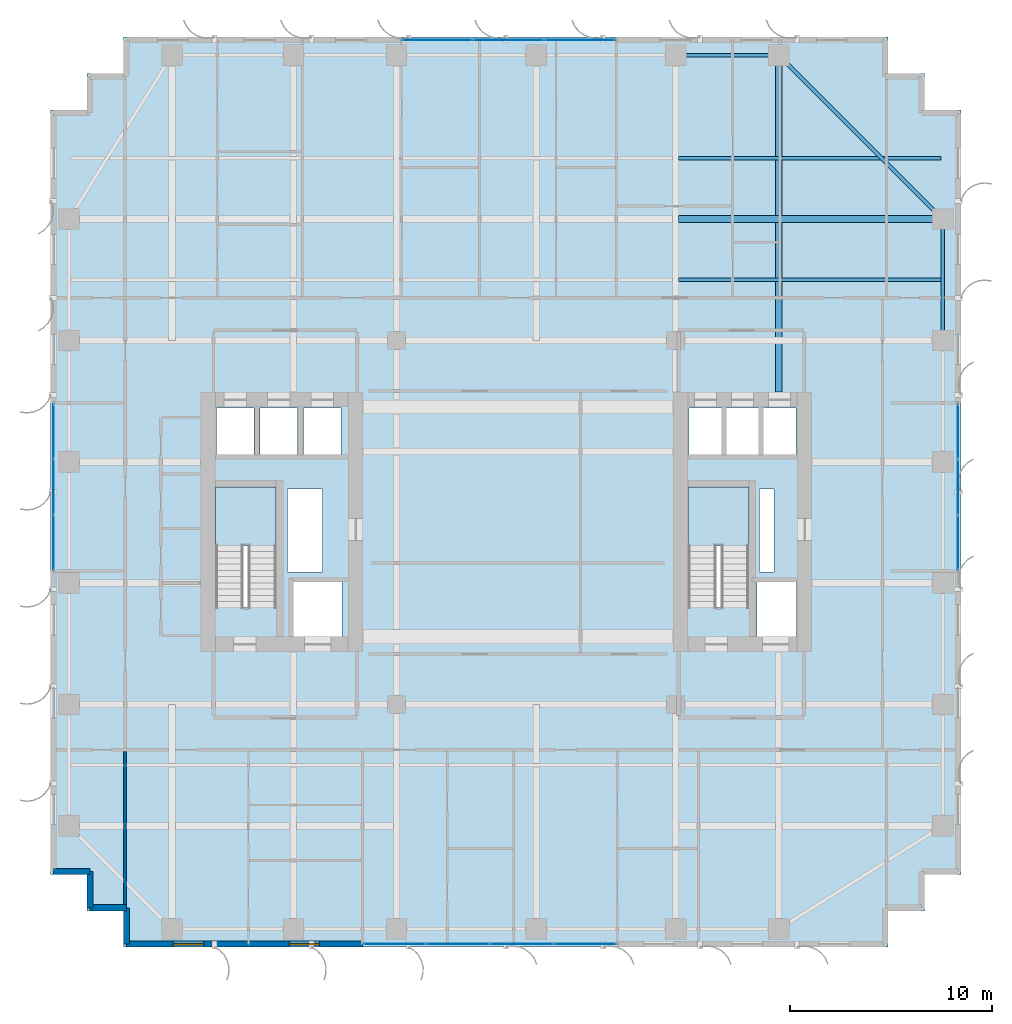
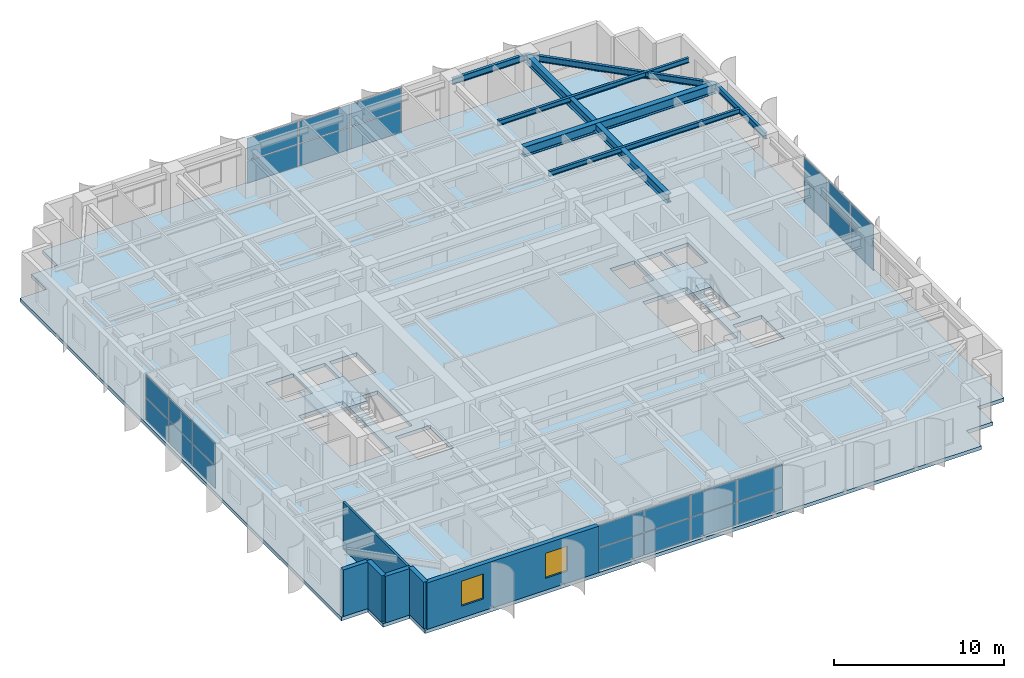
# One storey, part 11 of 19: 26 plates, 7 beams, 6 walls, 3 slabs, 2 windows, 2 openings, 6 elements without a shape of their own.
"""IFC4 building model written with IfcOpenShell, lengths in metres."""

import ifcopenshell
import ifcopenshell.guid

model = None  # the IFC model being written
_history = None  # IfcOwnerHistory: only IFC2X3 demands one
_inside = {}  # id of a spatial element -> (the spatial element, [elements in it])
_under = {}  # id of a project, library or spatial element -> (it, [spatial elements below it])
_declared = {}  # id of a project -> (the project, [libraries it declares])
_typed = {}  # id of a type object -> (the type object, [elements of that type])
_made_of = {}  # id of a material, layer set ... -> (it, [elements and type objects made of it])


def new_model(schema):
    """Start an empty IFC model of exactly this schema.

    Asked for "IFC4X3", IfcOpenShell would pick the latest addendum, in which some entities
    have other attributes; the version numbers below select the first issue.
    IFC2X3 requires an IfcOwnerHistory on every rooted entity: one is made here for all.
    """
    global model, _history
    if schema == "IFC4X3":
        model = ifcopenshell.file(schema_version=(4, 3, 0, 0))
    else:
        model = ifcopenshell.file(schema=schema)
    _inside.clear()
    _under.clear()
    _declared.clear()
    _typed.clear()
    _made_of.clear()
    _history = None
    if model.schema == "IFC2X3":
        org = make("IfcOrganization", Name="unknown")
        user = make(
            "IfcPersonAndOrganization",
            ThePerson=make("IfcPerson", FamilyName="unknown"),
            TheOrganization=org,
        )
        app = make(
            "IfcApplication",
            ApplicationDeveloper=org,
            Version="unknown",
            ApplicationFullName="unknown",
            ApplicationIdentifier="unknown",
        )
        _history = make(
            "IfcOwnerHistory",
            OwningUser=user,
            OwningApplication=app,
            ChangeAction="ADDED",
            CreationDate=0,
        )
    return model


def make(cls, **values):
    """One entity of the class cls with the attributes given. An attribute that is None is left unset."""
    return model.create_entity(
        cls, **{name: value for name, value in values.items() if value is not None}
    )


def rooted(cls, **values):
    """An entity with a GlobalId (a new one), such as an element, a storey or a relation."""
    return make(cls, GlobalId=ifcopenshell.guid.new(), OwnerHistory=_history, **values)


def si_unit(unit_type, name, prefix=None):
    """IfcSIUnit, for example si_unit("LENGTHUNIT", "METRE", prefix="MILLI")."""
    return make("IfcSIUnit", UnitType=unit_type, Prefix=prefix, Name=name)


def assignment(units):
    """IfcUnitAssignment: the units of a project."""
    return None if units is None else make("IfcUnitAssignment", Units=units)


def point(xyz):
    """IfcCartesianPoint."""
    return None if xyz is None else make("IfcCartesianPoint", Coordinates=xyz)


def direction(xyz):
    """IfcDirection."""
    return None if xyz is None else make("IfcDirection", DirectionRatios=xyz)


def frame(location, z_axis=None, x_axis=None):
    """IfcAxis2Placement3D, a coordinate frame: its origin and axes. An axis left out is left unset."""
    return make(
        "IfcAxis2Placement3D",
        Location=point(location),
        Axis=direction(z_axis),
        RefDirection=direction(x_axis),
    )


def frame_2d(location, x_axis=None):
    """IfcAxis2Placement2D, a coordinate frame in the plane: its origin and x axis."""
    return make(
        "IfcAxis2Placement2D", Location=point(location), RefDirection=direction(x_axis)
    )


def origin():
    """The frame at (0, 0, 0) with its axes left unset."""
    return frame((0.0, 0.0, 0.0))


def origin_2d():
    """The frame at (0, 0) in the plane with its x axis left unset."""
    return frame_2d((0.0, 0.0))


def place(relative_to, where):
    """IfcLocalPlacement: puts the frame where relative to a parent placement (None: the world)."""
    return make(
        "IfcLocalPlacement", PlacementRelTo=relative_to, RelativePlacement=where
    )


def context(
    kind, dimensions, precision=None, world=None, true_north=None, identifier=None
):
    """IfcGeometricRepresentationContext, for example the 3D "Model" context."""
    return make(
        "IfcGeometricRepresentationContext",
        ContextIdentifier=identifier,
        ContextType=kind,
        CoordinateSpaceDimension=dimensions,
        Precision=precision,
        WorldCoordinateSystem=world,
        TrueNorth=true_north,
    )


def subcontext(parent, identifier, kind, view, scale=None):
    """IfcGeometricRepresentationSubContext, for example "Body" below "Model"."""
    return make(
        "IfcGeometricRepresentationSubContext",
        ContextIdentifier=identifier,
        ContextType=kind,
        ParentContext=parent,
        TargetScale=scale,
        TargetView=view,
    )


def project(units=None, contexts=None):
    """IfcProject with its units and contexts."""
    return rooted(
        "IfcProject",
        Name="project",
        RepresentationContexts=contexts,
        UnitsInContext=assignment(units),
    )


def spatial(cls, under=None, at=None, **own):
    """A site, building, storey or space (cls), placed at a placement, below another one or the project."""
    s = rooted(cls, ObjectPlacement=at, **own)
    if under is not None:
        _under.setdefault(under.id(), (under, []))[1].append(s)
    return s


def polyline(points):
    """IfcPolyline through the points."""
    return make("IfcPolyline", Points=[point(p) for p in points])


def profile(cls, at=None, kind="AREA", **sizes):
    """A parametric profile (cls). Its sizes go by their IFC names, for example OverallWidth=200.0."""
    return make(cls, ProfileType=kind, Position=at, **sizes)


def rectangle(**sizes):
    """IfcRectangleProfileDef."""
    return profile("IfcRectangleProfileDef", **sizes)


def i_section(**sizes):
    """IfcIShapeProfileDef."""
    return profile("IfcIShapeProfileDef", **sizes)


def outline(outer, holes=None, kind="AREA"):
    """IfcArbitraryClosedProfileDef: a profile drawn as a closed curve; with holes, ...WithVoids."""
    if holes is None:
        return make("IfcArbitraryClosedProfileDef", ProfileType=kind, OuterCurve=outer)
    return make(
        "IfcArbitraryProfileDefWithVoids",
        ProfileType=kind,
        OuterCurve=outer,
        InnerCurves=holes,
    )


def extrude(swept, where, along, depth):
    """IfcExtrudedAreaSolid: the profile swept, set in the frame where, extruded along a direction by depth."""
    return make(
        "IfcExtrudedAreaSolid",
        SweptArea=swept,
        Position=where,
        ExtrudedDirection=direction(along),
        Depth=depth,
    )


def shape(context_of_items, identifier, shape_type, items):
    """IfcShapeRepresentation: the items that make up one representation, for example the "Body"."""
    return make(
        "IfcShapeRepresentation",
        ContextOfItems=context_of_items,
        RepresentationIdentifier=identifier,
        RepresentationType=shape_type,
        Items=items,
    )


def source(mapping_origin, context_of_items, identifier, shape_type, items):
    """IfcRepresentationMap: a shape defined once, which mapped items show again and again."""
    return make(
        "IfcRepresentationMap",
        MappingOrigin=mapping_origin,
        MappedRepresentation=shape(context_of_items, identifier, shape_type, items),
    )


def transform(
    local_origin,
    x_axis=None,
    y_axis=None,
    z_axis=None,
    scale=None,
    scale2=None,
    scale3=None,
    uniform=True,
):
    """IfcCartesianTransformationOperator3D, or its non-uniform kind. x_axis, y_axis, z_axis: its Axis1, 2, 3."""
    if uniform:
        return make(
            "IfcCartesianTransformationOperator3D",
            Axis1=direction(x_axis),
            Axis2=direction(y_axis),
            LocalOrigin=point(local_origin),
            Scale=scale,
            Axis3=direction(z_axis),
        )
    return make(
        "IfcCartesianTransformationOperator3DnonUniform",
        Axis1=direction(x_axis),
        Axis2=direction(y_axis),
        LocalOrigin=point(local_origin),
        Scale=scale,
        Axis3=direction(z_axis),
        Scale2=scale2,
        Scale3=scale3,
    )


def mapped(mapping_source, mapping_target):
    """IfcMappedItem: shows the shape of a source again, moved by a transform."""
    return make(
        "IfcMappedItem", MappingSource=mapping_source, MappingTarget=mapping_target
    )


def material(Name=None, Category=None):
    """IfcMaterial."""
    return make("IfcMaterial", Name=Name, Category=Category)


def layer(
    of_material, thickness, ventilated=None, Name=None, Category=None, Priority=None
):
    """IfcMaterialLayer: one layer of a wall or slab, of a material (None: an air gap)."""
    return make(
        "IfcMaterialLayer",
        Material=of_material,
        LayerThickness=thickness,
        IsVentilated=ventilated,
        Name=Name,
        Category=Category,
        Priority=Priority,
    )


def layer_set(layers, Name=None):
    """IfcMaterialLayerSet."""
    return make("IfcMaterialLayerSet", MaterialLayers=layers, LayerSetName=Name)


def material_profile(
    of_material, cross_section, Name=None, Category=None, Priority=None
):
    """IfcMaterialProfile: a cross section and its material."""
    return make(
        "IfcMaterialProfile",
        Name=Name,
        Material=of_material,
        Profile=cross_section,
        Priority=Priority,
        Category=Category,
    )


def profile_set(profiles, Name=None, composite=None):
    """IfcMaterialProfileSet."""
    return make(
        "IfcMaterialProfileSet",
        Name=Name,
        MaterialProfiles=profiles,
        CompositeProfile=composite,
    )


def made_of(thing, what):
    """Note that an element or type object is made of a material, layer set ...; save() writes the relation."""
    if what is not None:
        _made_of.setdefault(what.id(), (what, []))[1].append(thing)
    return thing


def type_object(cls, material=None, **own):
    """A type object (cls), such as IfcWallType, which elements share."""
    return made_of(rooted(cls, **own), material)


def element(
    cls,
    number,
    at=None,
    inside=None,
    cuts=None,
    type_object=None,
    material=None,
    context=None,
    identifier="Body",
    shape_type=None,
    held_by="IfcProductDefinitionShape",
    body=None,
    shapes=None,
    **own,
):
    """One element of the class cls, such as IfcWall. Its Tag is "e" and its number.

    at: its placement. inside: the storey or other place that contains it. cuts: it is an
    opening in that element (IfcRelVoidsElement). A single representation is given by context,
    identifier, shape_type and body (its items); several are given by shapes. held_by: the class
    of the entity that holds the representations. save() writes the other relations.
    """
    e = rooted(cls, Tag="e%d" % number, ObjectPlacement=at, **own)
    if body is not None:
        shapes = [shape(context, identifier, shape_type, body)]
    if shapes is not None:
        e.Representation = make(held_by, Representations=shapes)
    if inside is not None:
        _inside.setdefault(inside.id(), (inside, []))[1].append(e)
    if cuts is not None:
        rooted(
            "IfcRelVoidsElement", RelatingBuildingElement=cuts, RelatedOpeningElement=e
        )
    if type_object is not None:
        _typed.setdefault(type_object.id(), (type_object, []))[1].append(e)
    return made_of(e, material)


def fill(opening, filler):
    """IfcRelFillsElement: the door or window that sits in an opening."""
    return rooted(
        "IfcRelFillsElement",
        RelatingOpeningElement=opening,
        RelatedBuildingElement=filler,
    )


def aggregate(whole, parts):
    """IfcRelAggregates: a whole, such as a stair, and the parts it consists of."""
    return rooted("IfcRelAggregates", RelatingObject=whole, RelatedObjects=parts)


def save(model, path):
    """Write the relations noted so far, then the file.

    IfcRelAggregates (storeys below a building ...), IfcRelContainedInSpatialStructure (elements
    in a storey), IfcRelDefinesByType, IfcRelAssociatesMaterial and IfcRelDeclares: one each for
    every whole, place, type object, material and project.
    """
    for whole, parts in _under.values():
        aggregate(whole, parts)
    for where, things in _inside.values():
        rooted(
            "IfcRelContainedInSpatialStructure",
            RelatedElements=things,
            RelatingStructure=where,
        )
    for kind, things in _typed.values():
        rooted("IfcRelDefinesByType", RelatedObjects=things, RelatingType=kind)
    for what, things in _made_of.values():
        rooted("IfcRelAssociatesMaterial", RelatedObjects=things, RelatingMaterial=what)
    for by, libraries in _declared.values():
        rooted("IfcRelDeclares", RelatingContext=by, RelatedDefinitions=libraries)
    model.write(path)


model = new_model("IFC4")

# Units and contexts
model_context = context("Model", 3, precision=1e-05, world=origin(), true_north=direction((0.0, 1.0)))
body_context = subcontext(model_context, "Body", "Model", "MODEL_VIEW")
ifc_project = project(units=[si_unit("LENGTHUNIT", "METRE"), si_unit("AREAUNIT", "SQUARE_METRE"), si_unit("VOLUMEUNIT", "CUBIC_METRE"), si_unit("PLANEANGLEUNIT", "RADIAN"), si_unit("MASSUNIT", "GRAM", prefix="KILO")], contexts=[model_context])

# Site, building, storey
site_placement = place(None, origin())
site = spatial("IfcSite", under=ifc_project, at=site_placement, CompositionType="ELEMENT")
building_placement = place(site_placement, origin())
building = spatial("IfcBuilding", under=site, at=building_placement, Name="Khoralis Quay Care Tower", CompositionType="ELEMENT")
storey_placement = place(building_placement, frame((0.0, 0.0, 90.89990234375)))
storey = spatial("IfcBuildingStorey", under=building, at=storey_placement, Name="L23", CompositionType="ELEMENT", Elevation=90.89990234375)

# Beams
ifc_material_1 = material(Name="Steel S355", Category="steel")
ifc_material_profile_1 = material_profile(ifc_material_1, i_section(OverallWidth=0.18994140625, OverallDepth=0.449951171875, WebThickness=0.009521484375, FlangeThickness=0.0146484375, FilletRadius=0.02099609375, at=origin_2d()), Name="Steel S355")
ifc_profile_set_1 = profile_set([ifc_material_profile_1], Name="Steel S355")
beam_type_1 = type_object("IfcBeamType", Name="BM-IPE450", PredefinedType="SPANDREL", material=ifc_profile_set_1)
shared_shape_1 = source(origin(), body_context, "Body", "SweptSolid", [
    extrude(i_section(OverallWidth=0.18994140625, OverallDepth=0.449951171875, WebThickness=0.009521484375, FlangeThickness=0.0146484375, FilletRadius=0.02099609375, at=origin_2d()), origin(), (0.0, 0.0, 1.0), 6.0),
])
beam_1_placement = place(storey_placement, frame((44.10009765625, 30.0, 3.114990234375), z_axis=(0.0, 1.0, 0.0), x_axis=(-1.0, 0.0, 0.0)))
element("IfcBeam", 1, at=beam_1_placement, inside=storey, type_object=beam_type_1, Name="BM-TSP-L23-20", PredefinedType="SPANDREL", context=body_context, shape_type="MappedRepresentation", body=[
    mapped(shared_shape_1, transform((0.0, 0.0, 0.0), scale=1.0)),
])
shared_shape_2 = source(origin(), body_context, "Body", "SweptSolid", [
    extrude(i_section(OverallWidth=0.18994140625, OverallDepth=0.449951171875, WebThickness=0.009521484375, FlangeThickness=0.0146484375, FilletRadius=0.02099609375, at=origin_2d()), origin(), (0.0, 0.0, 1.0), 5.10009765625),
])
beam_2_placement = place(storey_placement, frame((30.89990234375, 44.10009765625, 3.114990234375), z_axis=(1.0, 0.0, 0.0), x_axis=(0.0, 1.0, 0.0)))
element("IfcBeam", 2, at=beam_2_placement, inside=storey, type_object=beam_type_1, Name="BM-TSP-L23-10", PredefinedType="SPANDREL", context=body_context, shape_type="MappedRepresentation", body=[
    mapped(shared_shape_2, transform((0.0, 0.0, 0.0), scale=1.0)),
])
shared_shape_3 = source(origin(), body_context, "Body", "SweptSolid", [
    extrude(i_section(OverallWidth=0.18994140625, OverallDepth=0.449951171875, WebThickness=0.009521484375, FlangeThickness=0.0146484375, FilletRadius=0.02099609375, at=origin_2d()), origin(), (0.0, 0.0, 1.0), 11.455322265625),
])
beam_3_placement = place(storey_placement, frame((36.0, 44.10009765625, 3.114990234375), z_axis=(0.707106781187, -0.707106781187, 0.0), x_axis=(0.707106781187, 0.707106781187, 0.0)))
element("IfcBeam", 3, at=beam_3_placement, inside=storey, type_object=beam_type_1, Name="BM-TCR-L23-24", PredefinedType="SPANDREL", context=body_context, shape_type="MappedRepresentation", body=[
    mapped(shared_shape_3, transform((0.0, 0.0, 0.0), scale=1.0)),
])
ifc_material_profile_2 = material_profile(ifc_material_1, i_section(OverallWidth=0.35498046875, OverallDepth=0.695068359375, WebThickness=0.015380859375, FlangeThickness=0.02490234375, FilletRadius=0.02001953125, at=origin_2d()), Name="Steel S355")
ifc_profile_set_2 = profile_set([ifc_material_profile_2], Name="Steel S355")
beam_type_2 = type_object("IfcBeamType", Name="BM-W690X217", PredefinedType="BEAM", material=ifc_profile_set_2)
shared_shape_4 = source(origin(), body_context, "Body", "SweptSolid", [
    extrude(i_section(OverallWidth=0.35498046875, OverallDepth=0.695068359375, WebThickness=0.015380859375, FlangeThickness=0.02490234375, FilletRadius=0.02001953125, at=origin_2d()), origin(), (0.0, 0.0, 1.0), 13.049560546875),
])
beam_4_placement = place(storey_placement, frame((31.050537109375, 36.0, 2.99267578125), z_axis=(1.0, 0.0, 0.0), x_axis=(0.0, 1.0, 0.0)))
element("IfcBeam", 4, at=beam_4_placement, inside=storey, type_object=beam_type_2, Name="BM-TGXE-L23-360", PredefinedType="BEAM", context=body_context, shape_type="MappedRepresentation", body=[
    mapped(shared_shape_4, transform((0.0, 0.0, 0.0), scale=1.0)),
])
ifc_material_profile_3 = material_profile(ifc_material_1, i_section(OverallWidth=0.324951171875, OverallDepth=0.615966796875, WebThickness=0.013916015625, FlangeThickness=0.021484375, FilletRadius=0.01806640625, at=origin_2d()), Name="Steel S355")
ifc_profile_set_3 = profile_set([ifc_material_profile_3], Name="Steel S355")
beam_type_3 = type_object("IfcBeamType", Name="BM-W610X174", PredefinedType="BEAM", material=ifc_profile_set_3)
shared_shape_5 = source(origin(), body_context, "Body", "SweptSolid", [
    extrude(i_section(OverallWidth=0.324951171875, OverallDepth=0.615966796875, WebThickness=0.013916015625, FlangeThickness=0.021484375, FilletRadius=0.01806640625, at=origin_2d()), origin(), (0.0, 0.0, 1.0), 16.652099609375),
])
beam_5_placement = place(storey_placement, frame((36.0, 27.447998046875, 3.031982421875), z_axis=(0.0, 1.0, 0.0), x_axis=(-1.0, 0.0, 0.0)))
element("IfcBeam", 5, at=beam_5_placement, inside=storey, type_object=beam_type_3, Name="BM-TGYN-L23-360", PredefinedType="BEAM", context=body_context, shape_type="MappedRepresentation", body=[
    mapped(shared_shape_5, transform((0.0, 0.0, 0.0), scale=1.0)),
])
ifc_material_profile_4 = material_profile(ifc_material_1, i_section(OverallWidth=0.1708984375, OverallDepth=0.35498046875, WebThickness=0.007080078125, FlangeThickness=0.01171875, FilletRadius=0.012939453125, at=origin_2d()), Name="Steel S355")
ifc_profile_set_4 = profile_set([ifc_material_profile_4], Name="Steel S355")
beam_type_4 = type_object("IfcBeamType", Name="BM-W360X51", PredefinedType="JOIST", material=ifc_profile_set_4)
shared_shape_6 = source(origin(), body_context, "Body", "SweptSolid", [
    extrude(i_section(OverallWidth=0.1708984375, OverallDepth=0.35498046875, WebThickness=0.007080078125, FlangeThickness=0.01171875, FilletRadius=0.012939453125, at=origin_2d()), origin(), (0.0, 0.0, 1.0), 12.968505859375),
])
for number, where, z_axis, x_axis, name in (
    (6, (31.050537109375, 33.0, 3.16259765625), (1.0, 0.0, 0.0), (0.0, 1.0, 0.0), "BM-TJS-L23-29"),
    (7, (31.050537109375, 39.0, 3.16259765625), (1.0, 0.0, 0.0), (0.0, 1.0, 0.0), "BM-TJS-L23-32"),
):
    element("IfcBeam", number, at=place(storey_placement, frame(where, z_axis=z_axis, x_axis=x_axis)), inside=storey, type_object=beam_type_4, Name=name, PredefinedType="JOIST", context=body_context, shape_type="MappedRepresentation", body=[
        mapped(shared_shape_6, transform((0.0, 0.0, 0.0), scale=1.0)),
    ])

# Stair, slab
ifc_material_2 = material(Name="Precast concrete C45/55", Category="concrete")
stair_type = type_object("IfcStairType", Name="ST-TWR-DOGLEG-1400", PredefinedType="HALF_TURN_STAIR", material=ifc_material_2)
stair_1_placement = place(storey_placement, origin())
stair_1 = element("IfcStair", 8, at=stair_1_placement, inside=storey, type_object=stair_type, Name="L23 West Core Exit Stair ST-T1", PredefinedType="HALF_TURN_STAIR")
ifc_layer_1 = layer(ifc_material_2, 0.199951171875)
ifc_layer_set_1 = layer_set([ifc_layer_1], Name="Precast concrete C45/55")
slab_type_1 = type_object("IfcSlabType", Name="SLB-LANDING-200", PredefinedType="LANDING", material=ifc_layer_set_1)
slab_1_placement = place(storey_placement, frame((0.0, 0.0, 1.60009765625)))
slab_1 = element("IfcSlab", 9, at=slab_1_placement, type_object=slab_type_1, Name="ST-T1 landing 1", PredefinedType="LANDING", context=body_context, shape_type="SweptSolid", body=[
    extrude(outline(polyline([(11.14990234375, 19.840087890625), (11.14990234375, 22.75), (8.14990234375, 22.75), (8.14990234375, 19.840087890625), (11.14990234375, 19.840087890625)])), origin(), (0.0, 0.0, 1.0), 0.199951171875),
])
aggregate(stair_1, [slab_1])

stair_2_placement = place(storey_placement, origin())
stair_2 = element("IfcStair", 10, at=stair_2_placement, inside=storey, type_object=stair_type, Name="L23 East Core Exit Stair ST-T2", PredefinedType="HALF_TURN_STAIR")
slab_2_placement = place(storey_placement, frame((0.0, 0.0, 1.60009765625)))
slab_2 = element("IfcSlab", 11, at=slab_2_placement, type_object=slab_type_1, Name="ST-T2 landing 1", PredefinedType="LANDING", context=body_context, shape_type="SweptSolid", body=[
    extrude(outline(polyline([(34.52001953125, 19.840087890625), (34.52001953125, 22.75), (31.52001953125, 22.75), (31.52001953125, 19.840087890625), (34.52001953125, 19.840087890625)])), origin(), (0.0, 0.0, 1.0), 0.199951171875),
])
aggregate(stair_2, [slab_2])

# Slab
ifc_material_3 = material(Name="Concrete C40/50", Category="concrete")
ifc_layer_2 = layer(ifc_material_3, 0.260009765625)
ifc_layer_set_2 = layer_set([ifc_layer_2], Name="Concrete C40/50")
slab_type_2 = type_object("IfcSlabType", Name="SLB-TWR-260", PredefinedType="FLOOR", material=ifc_layer_set_2)
slab_3_placement = place(storey_placement, frame((0.0, 0.0, -0.260009765625)))
element("IfcSlab", 12, at=slab_3_placement, inside=storey, type_object=slab_type_2, Name="Tower Floor Slab L23", PredefinedType="FLOOR", context=body_context, shape_type="SweptSolid", body=[
    extrude(outline(polyline([(3.60009765625, 0.0), (41.39990234375, 0.0), (41.39990234375, 1.800048828125), (43.199951171875, 1.800048828125), (43.199951171875, 3.60009765625), (45.0, 3.60009765625), (45.0, 41.39990234375), (43.199951171875, 41.39990234375), (43.199951171875, 43.199951171875), (41.39990234375, 43.199951171875), (41.39990234375, 45.0), (3.60009765625, 45.0), (3.60009765625, 43.199951171875), (1.800048828125, 43.199951171875), (1.800048828125, 41.39990234375), (0.0, 41.39990234375), (0.0, 3.60009765625), (1.800048828125, 3.60009765625), (1.800048828125, 1.800048828125), (3.60009765625, 1.800048828125), (3.60009765625, 0.0)]), holes=[polyline([(11.14990234375, 16.800048828125), (11.14990234375, 22.75), (8.14990234375, 22.75), (8.14990234375, 16.800048828125), (11.14990234375, 16.800048828125)]), polyline([(34.52001953125, 16.800048828125), (34.52001953125, 22.75), (31.52001953125, 22.75), (31.52001953125, 16.800048828125), (34.52001953125, 16.800048828125)]), polyline([(12.0, 15.35009765625), (14.39990234375, 15.35009765625), (14.39990234375, 18.050048828125), (12.0, 18.050048828125), (12.0, 15.35009765625)]), polyline([(34.919921875, 15.35009765625), (36.8798828125, 15.35009765625), (36.8798828125, 18.050048828125), (34.919921875, 18.050048828125), (34.919921875, 15.35009765625)]), polyline([(8.199951171875, 24.35009765625), (10.050048828125, 24.35009765625), (10.050048828125, 26.64990234375), (8.199951171875, 26.64990234375), (8.199951171875, 24.35009765625)]), polyline([(31.550048828125, 24.35009765625), (33.199951171875, 24.35009765625), (33.199951171875, 26.64990234375), (31.550048828125, 26.64990234375), (31.550048828125, 24.35009765625)]), polyline([(10.35009765625, 24.35009765625), (12.199951171875, 24.35009765625), (12.199951171875, 26.64990234375), (10.35009765625, 26.64990234375), (10.35009765625, 24.35009765625)]), polyline([(33.3798828125, 24.35009765625), (35.030029296875, 24.35009765625), (35.030029296875, 26.64990234375), (33.3798828125, 26.64990234375), (33.3798828125, 24.35009765625)]), polyline([(12.5, 24.35009765625), (14.35009765625, 24.35009765625), (14.35009765625, 26.64990234375), (12.5, 26.64990234375), (12.5, 24.35009765625)]), polyline([(35.199951171875, 24.35009765625), (36.85009765625, 24.35009765625), (36.85009765625, 26.64990234375), (35.199951171875, 26.64990234375), (35.199951171875, 24.35009765625)]), polyline([(11.719970703125, 18.550048828125), (13.449951171875, 18.550048828125), (13.449951171875, 22.64990234375), (11.719970703125, 22.64990234375), (11.719970703125, 18.550048828125)]), polyline([(35.050048828125, 18.550048828125), (35.75, 18.550048828125), (35.75, 22.64990234375), (35.050048828125, 22.64990234375), (35.050048828125, 18.550048828125)])]), origin(), (0.0, 0.0, 1.0), 0.260009765625),
])

# Curtain wall, plates
ifc_material_4 = material(Name="Pale anodised aluminium", Category="aluminium")
ifc_layer_3 = layer(ifc_material_4, 0.169921875)
ifc_layer_set_3 = layer_set([ifc_layer_3], Name="Pale anodised aluminium")
curtain_wall_type = type_object("IfcCurtainWallType", Name="CW-SYS-Z2", PredefinedType="NOTDEFINED", material=ifc_layer_set_3)
curtain_wall_1_placement = place(storey_placement, origin())
curtain_wall_1 = element("IfcCurtainWall", 13, at=curtain_wall_1_placement, inside=storey, type_object=curtain_wall_type, Name="L23 Unitised Curtain Wall CW-L23-P1-E5", PredefinedType="NOTDEFINED")
ifc_material_5 = material(Name="Low-E solar-control double glazing", Category="glass")
ifc_layer_4 = layer(ifc_material_5, 0.031982421875)
ifc_layer_set_4 = layer_set([ifc_layer_4], Name="Low-E solar-control double glazing")
plate_type = type_object("IfcPlateType", Name="PNL-VIS-32", PredefinedType="CURTAIN_PANEL", material=ifc_layer_set_4)
shared_shape_7 = source(origin(), body_context, "Body", "SweptSolid", [
    extrude(rectangle(XDim=2.6767578125, YDim=0.028076171875, at=origin_2d()), origin(), (0.0, 0.0, 1.0), 1.580078125),
])
plate_1_placement = place(storey_placement, frame((44.85009765625, 19.998291015625, 0.06005859375), z_axis=(0.0, 0.0, 1.0), x_axis=(0.0, 1.0, 0.0)))
plate_1 = element("IfcPlate", 14, at=plate_1_placement, type_object=plate_type, Name="CW2 panel 1.1", PredefinedType="CURTAIN_PANEL", context=body_context, shape_type="MappedRepresentation", body=[
    mapped(shared_shape_7, transform((0.0, 0.0, 0.0), scale=1.0)),
])
plate_2_placement = place(storey_placement, frame((44.85009765625, 19.998291015625, 1.699951171875), z_axis=(0.0, 0.0, 1.0), x_axis=(0.0, 1.0, 0.0)))
plate_2 = element("IfcPlate", 15, at=plate_2_placement, type_object=plate_type, Name="CW2 panel 1.2", PredefinedType="CURTAIN_PANEL", context=body_context, shape_type="MappedRepresentation", body=[
    mapped(shared_shape_7, transform((0.0, 0.0, 0.0), scale=1.0)),
])
plate_3_placement = place(storey_placement, frame((44.85009765625, 25.501708984375, 0.06005859375), z_axis=(0.0, 0.0, 1.0), x_axis=(0.0, 1.0, 0.0)))
plate_3 = element("IfcPlate", 16, at=plate_3_placement, type_object=plate_type, Name="CW2 panel 3.1", PredefinedType="CURTAIN_PANEL", context=body_context, shape_type="MappedRepresentation", body=[
    mapped(shared_shape_7, transform((0.0, 0.0, 0.0), scale=1.0)),
])
plate_4_placement = place(storey_placement, frame((44.85009765625, 25.501708984375, 1.699951171875), z_axis=(0.0, 0.0, 1.0), x_axis=(0.0, 1.0, 0.0)))
plate_4 = element("IfcPlate", 17, at=plate_4_placement, type_object=plate_type, Name="CW2 panel 3.2", PredefinedType="CURTAIN_PANEL", context=body_context, shape_type="MappedRepresentation", body=[
    mapped(shared_shape_7, transform((0.0, 0.0, 0.0), scale=1.0)),
])

curtain_wall_2_placement = place(storey_placement, origin())
curtain_wall_2 = element("IfcCurtainWall", 18, at=curtain_wall_2_placement, inside=storey, type_object=curtain_wall_type, Name="L23 Unitised Curtain Wall CW-L23-P1-E15", PredefinedType="NOTDEFINED")
plate_5_placement = place(storey_placement, frame((0.14990234375, 25.501708984375, 0.06005859375), z_axis=(0.0, 0.0, 1.0), x_axis=(0.0, -1.0, 0.0)))
plate_5 = element("IfcPlate", 19, at=plate_5_placement, type_object=plate_type, Name="CW2 panel 1.1", PredefinedType="CURTAIN_PANEL", context=body_context, shape_type="MappedRepresentation", body=[
    mapped(shared_shape_7, transform((0.0, 0.0, 0.0), scale=1.0)),
])
plate_6_placement = place(storey_placement, frame((0.14990234375, 25.501708984375, 1.699951171875), z_axis=(0.0, 0.0, 1.0), x_axis=(0.0, -1.0, 0.0)))
plate_6 = element("IfcPlate", 20, at=plate_6_placement, type_object=plate_type, Name="CW2 panel 1.2", PredefinedType="CURTAIN_PANEL", context=body_context, shape_type="MappedRepresentation", body=[
    mapped(shared_shape_7, transform((0.0, 0.0, 0.0), scale=1.0)),
])
plate_7_placement = place(storey_placement, frame((0.14990234375, 19.998291015625, 0.06005859375), z_axis=(0.0, 0.0, 1.0), x_axis=(0.0, -1.0, 0.0)))
plate_7 = element("IfcPlate", 21, at=plate_7_placement, type_object=plate_type, Name="CW2 panel 3.1", PredefinedType="CURTAIN_PANEL", context=body_context, shape_type="MappedRepresentation", body=[
    mapped(shared_shape_7, transform((0.0, 0.0, 0.0), scale=1.0)),
])
plate_8_placement = place(storey_placement, frame((0.14990234375, 19.998291015625, 1.699951171875), z_axis=(0.0, 0.0, 1.0), x_axis=(0.0, -1.0, 0.0)))
plate_8 = element("IfcPlate", 22, at=plate_8_placement, type_object=plate_type, Name="CW2 panel 3.2", PredefinedType="CURTAIN_PANEL", context=body_context, shape_type="MappedRepresentation", body=[
    mapped(shared_shape_7, transform((0.0, 0.0, 0.0), scale=1.0)),
])

# Plate
shared_shape_8 = source(origin(), body_context, "Body", "SweptSolid", [
    extrude(rectangle(XDim=2.706787109375, YDim=0.028076171875, at=origin_2d()), origin(), (0.0, 0.0, 1.0), 1.580078125),
])
plate_9_placement = place(storey_placement, frame((44.85009765625, 22.75, 0.06005859375), z_axis=(0.0, 0.0, 1.0), x_axis=(0.0, 1.0, 0.0)))
plate_9 = element("IfcPlate", 23, at=plate_9_placement, type_object=plate_type, Name="CW2 panel 2.1", PredefinedType="CURTAIN_PANEL", context=body_context, shape_type="MappedRepresentation", body=[
    mapped(shared_shape_8, transform((0.0, 0.0, 0.0), scale=1.0)),
])

plate_10_placement = place(storey_placement, frame((44.85009765625, 22.75, 1.699951171875), z_axis=(0.0, 0.0, 1.0), x_axis=(0.0, 1.0, 0.0)))
plate_10 = element("IfcPlate", 24, at=plate_10_placement, type_object=plate_type, Name="CW2 panel 2.2", PredefinedType="CURTAIN_PANEL", context=body_context, shape_type="MappedRepresentation", body=[
    mapped(shared_shape_8, transform((0.0, 0.0, 0.0), scale=1.0)),
])

aggregate(curtain_wall_1, [plate_1, plate_2, plate_9, plate_10, plate_3, plate_4])

plate_11_placement = place(storey_placement, frame((0.14990234375, 22.75, 0.06005859375), z_axis=(0.0, 0.0, 1.0), x_axis=(0.0, -1.0, 0.0)))
plate_11 = element("IfcPlate", 25, at=plate_11_placement, type_object=plate_type, Name="CW2 panel 2.1", PredefinedType="CURTAIN_PANEL", context=body_context, shape_type="MappedRepresentation", body=[
    mapped(shared_shape_8, transform((0.0, 0.0, 0.0), scale=1.0)),
])

plate_12_placement = place(storey_placement, frame((0.14990234375, 22.75, 1.699951171875), z_axis=(0.0, 0.0, 1.0), x_axis=(0.0, -1.0, 0.0)))
plate_12 = element("IfcPlate", 26, at=plate_12_placement, type_object=plate_type, Name="CW2 panel 2.2", PredefinedType="CURTAIN_PANEL", context=body_context, shape_type="MappedRepresentation", body=[
    mapped(shared_shape_8, transform((0.0, 0.0, 0.0), scale=1.0)),
])

aggregate(curtain_wall_2, [plate_5, plate_6, plate_11, plate_12, plate_7, plate_8])

# Curtain wall, plates
curtain_wall_3_placement = place(storey_placement, origin())
curtain_wall_3 = element("IfcCurtainWall", 27, at=curtain_wall_3_placement, inside=storey, type_object=curtain_wall_type, Name="L23 Unitised Curtain Wall CW-L23-P1-E0", PredefinedType="NOTDEFINED")
shared_shape_9 = source(origin(), body_context, "Body", "SweptSolid", [
    extrude(rectangle(XDim=3.058349609375, YDim=0.028076171875, at=origin_2d()), origin(), (0.0, 0.0, 1.0), 1.580078125),
])
plate_13_placement = place(storey_placement, frame((16.9990234375, 0.14990234375, 0.06005859375), z_axis=(0.0, 0.0, 1.0), x_axis=(1.0, 0.0, 0.0)))
plate_13 = element("IfcPlate", 28, at=plate_13_placement, type_object=plate_type, Name="CW2 panel 1.1", PredefinedType="CURTAIN_PANEL", context=body_context, shape_type="MappedRepresentation", body=[
    mapped(shared_shape_9, transform((0.0, 0.0, 0.0), scale=1.0)),
])
plate_14_placement = place(storey_placement, frame((16.9990234375, 0.14990234375, 1.699951171875), z_axis=(0.0, 0.0, 1.0), x_axis=(1.0, 0.0, 0.0)))
plate_14 = element("IfcPlate", 29, at=plate_14_placement, type_object=plate_type, Name="CW2 panel 1.2", PredefinedType="CURTAIN_PANEL", context=body_context, shape_type="MappedRepresentation", body=[
    mapped(shared_shape_9, transform((0.0, 0.0, 0.0), scale=1.0)),
])
plate_15_placement = place(storey_placement, frame((26.413818359375, 0.14990234375, 0.06005859375), z_axis=(0.0, 0.0, 1.0), x_axis=(1.0, 0.0, 0.0)))
plate_15 = element("IfcPlate", 30, at=plate_15_placement, type_object=plate_type, Name="CW2 panel 4.1", PredefinedType="CURTAIN_PANEL", context=body_context, shape_type="MappedRepresentation", body=[
    mapped(shared_shape_9, transform((0.0, 0.0, 0.0), scale=1.0)),
])
plate_16_placement = place(storey_placement, frame((26.413818359375, 0.14990234375, 1.699951171875), z_axis=(0.0, 0.0, 1.0), x_axis=(1.0, 0.0, 0.0)))
plate_16 = element("IfcPlate", 31, at=plate_16_placement, type_object=plate_type, Name="CW2 panel 4.2", PredefinedType="CURTAIN_PANEL", context=body_context, shape_type="MappedRepresentation", body=[
    mapped(shared_shape_9, transform((0.0, 0.0, 0.0), scale=1.0)),
])
shared_shape_10 = source(origin(), body_context, "Body", "SweptSolid", [
    extrude(rectangle(XDim=3.088134765625, YDim=0.028076171875, at=origin_2d()), origin(), (0.0, 0.0, 1.0), 1.580078125),
])
plate_17_placement = place(storey_placement, frame((20.13232421875, 0.14990234375, 0.06005859375), z_axis=(0.0, 0.0, 1.0), x_axis=(1.0, 0.0, 0.0)))
plate_17 = element("IfcPlate", 32, at=plate_17_placement, type_object=plate_type, Name="CW2 panel 2.1", PredefinedType="CURTAIN_PANEL", context=body_context, shape_type="MappedRepresentation", body=[
    mapped(shared_shape_10, transform((0.0, 0.0, 0.0), scale=1.0)),
])
plate_18_placement = place(storey_placement, frame((20.13232421875, 0.14990234375, 1.699951171875), z_axis=(0.0, 0.0, 1.0), x_axis=(1.0, 0.0, 0.0)))
plate_18 = element("IfcPlate", 33, at=plate_18_placement, type_object=plate_type, Name="CW2 panel 2.2", PredefinedType="CURTAIN_PANEL", context=body_context, shape_type="MappedRepresentation", body=[
    mapped(shared_shape_10, transform((0.0, 0.0, 0.0), scale=1.0)),
])
plate_19_placement = place(storey_placement, frame((23.280517578125, 0.14990234375, 0.06005859375), z_axis=(0.0, 0.0, 1.0), x_axis=(1.0, 0.0, 0.0)))
plate_19 = element("IfcPlate", 34, at=plate_19_placement, type_object=plate_type, Name="CW2 panel 3.1", PredefinedType="CURTAIN_PANEL", context=body_context, shape_type="MappedRepresentation", body=[
    mapped(shared_shape_10, transform((0.0, 0.0, 0.0), scale=1.0)),
])
plate_20_placement = place(storey_placement, frame((23.280517578125, 0.14990234375, 1.699951171875), z_axis=(0.0, 0.0, 1.0), x_axis=(1.0, 0.0, 0.0)))
plate_20 = element("IfcPlate", 35, at=plate_20_placement, type_object=plate_type, Name="CW2 panel 3.2", PredefinedType="CURTAIN_PANEL", context=body_context, shape_type="MappedRepresentation", body=[
    mapped(shared_shape_10, transform((0.0, 0.0, 0.0), scale=1.0)),
])
aggregate(curtain_wall_3, [plate_13, plate_14, plate_17, plate_18, plate_19, plate_20, plate_15, plate_16])

curtain_wall_4_placement = place(storey_placement, origin())
curtain_wall_4 = element("IfcCurtainWall", 36, at=curtain_wall_4_placement, inside=storey, type_object=curtain_wall_type, Name="L23 Unitised Curtain Wall CW-L23-P1-E10", PredefinedType="NOTDEFINED")
shared_shape_11 = source(origin(), body_context, "Body", "SweptSolid", [
    extrude(rectangle(XDim=3.447998046875, YDim=0.028076171875, at=origin_2d()), origin(), (0.0, 0.0, 1.0), 1.580078125),
])
plate_21_placement = place(storey_placement, frame((26.176025390625, 44.85009765625, 0.06005859375), z_axis=(0.0, 0.0, 1.0), x_axis=(-1.0, 0.0, 0.0)))
plate_21 = element("IfcPlate", 37, at=plate_21_placement, type_object=plate_type, Name="CW2 panel 1.1", PredefinedType="CURTAIN_PANEL", context=body_context, shape_type="MappedRepresentation", body=[
    mapped(shared_shape_11, transform((0.0, 0.0, 0.0), scale=1.0)),
])
plate_22_placement = place(storey_placement, frame((26.176025390625, 44.85009765625, 1.699951171875), z_axis=(0.0, 0.0, 1.0), x_axis=(-1.0, 0.0, 0.0)))
plate_22 = element("IfcPlate", 38, at=plate_22_placement, type_object=plate_type, Name="CW2 panel 1.2", PredefinedType="CURTAIN_PANEL", context=body_context, shape_type="MappedRepresentation", body=[
    mapped(shared_shape_11, transform((0.0, 0.0, 0.0), scale=1.0)),
])
plate_23_placement = place(storey_placement, frame((19.1298828125, 44.85009765625, 0.06005859375), z_axis=(0.0, 0.0, 1.0), x_axis=(-1.0, 0.0, 0.0)))
plate_23 = element("IfcPlate", 39, at=plate_23_placement, type_object=plate_type, Name="CW2 panel 3.1", PredefinedType="CURTAIN_PANEL", context=body_context, shape_type="MappedRepresentation", body=[
    mapped(shared_shape_11, transform((0.0, 0.0, 0.0), scale=1.0)),
])
plate_24_placement = place(storey_placement, frame((19.1298828125, 44.85009765625, 1.699951171875), z_axis=(0.0, 0.0, 1.0), x_axis=(-1.0, 0.0, 0.0)))
plate_24 = element("IfcPlate", 40, at=plate_24_placement, type_object=plate_type, Name="CW2 panel 3.2", PredefinedType="CURTAIN_PANEL", context=body_context, shape_type="MappedRepresentation", body=[
    mapped(shared_shape_11, transform((0.0, 0.0, 0.0), scale=1.0)),
])
shared_shape_12 = source(origin(), body_context, "Body", "SweptSolid", [
    extrude(rectangle(XDim=3.47802734375, YDim=0.028076171875, at=origin_2d()), origin(), (0.0, 0.0, 1.0), 1.580078125),
])
plate_25_placement = place(storey_placement, frame((22.653076171875, 44.85009765625, 0.06005859375), z_axis=(0.0, 0.0, 1.0), x_axis=(-1.0, 0.0, 0.0)))
plate_25 = element("IfcPlate", 41, at=plate_25_placement, type_object=plate_type, Name="CW2 panel 2.1", PredefinedType="CURTAIN_PANEL", context=body_context, shape_type="MappedRepresentation", body=[
    mapped(shared_shape_12, transform((0.0, 0.0, 0.0), scale=1.0)),
])
plate_26_placement = place(storey_placement, frame((22.653076171875, 44.85009765625, 1.699951171875), z_axis=(0.0, 0.0, 1.0), x_axis=(-1.0, 0.0, 0.0)))
plate_26 = element("IfcPlate", 42, at=plate_26_placement, type_object=plate_type, Name="CW2 panel 2.2", PredefinedType="CURTAIN_PANEL", context=body_context, shape_type="MappedRepresentation", body=[
    mapped(shared_shape_12, transform((0.0, 0.0, 0.0), scale=1.0)),
])
aggregate(curtain_wall_4, [plate_21, plate_22, plate_25, plate_26, plate_23, plate_24])

# Wall, openings, windows
ifc_layer_5 = layer(ifc_material_2, 0.300048828125)
ifc_layer_set_5 = layer_set([ifc_layer_5], Name="Precast concrete C45/55")
wall_type_1 = type_object("IfcWallType", Name="WL-EXT-REF-300", PredefinedType="SOLIDWALL", material=ifc_layer_set_5)
wall_1_placement = place(storey_placement, frame((3.75, 0.14990234375, 0.0), z_axis=(0.0, 0.0, 1.0), x_axis=(1.0, 0.0, 0.0)))
wall_1 = element("IfcWall", 43, at=wall_1_placement, inside=storey, type_object=wall_type_1, Name="L23 External Facade Wall WL-EXT-L23-P1-E0A", PredefinedType="SOLIDWALL", context=body_context, shape_type="SweptSolid", body=[
    extrude(rectangle(XDim=11.659912109375, YDim=0.300048828125, at=frame_2d((5.830078125, 0.0))), origin(), (0.0, 0.0, 1.0), 3.340087890625),
])
opening_1_placement = place(wall_1_placement, frame((2.31494140625, 0.0, 0.85009765625)))
opening_1 = element("IfcOpeningElement", 44, at=opening_1_placement, cuts=wall_1, Name="Opening W3", PredefinedType="OPENING", context=body_context, shape_type="SweptSolid", body=[
    extrude(rectangle(XDim=1.5, YDim=1.800048828125, at=frame_2d((0.75, 0.89990234375))), frame((0.0, 0.16015625, 0.0), z_axis=(0.0, -1.0, 0.0), x_axis=(1.0, 0.0, 0.0)), (0.0, 0.0, 1.0), 0.320068359375),
])
opening_2_placement = place(wall_1_placement, frame((8.044921875, 0.0, 0.85009765625)))
opening_2 = element("IfcOpeningElement", 45, at=opening_2_placement, cuts=wall_1, Name="Opening W3", PredefinedType="OPENING", context=body_context, shape_type="SweptSolid", body=[
    extrude(rectangle(XDim=1.5, YDim=1.800048828125, at=frame_2d((0.75, 0.89990234375))), frame((0.0, 0.16015625, 0.0), z_axis=(0.0, -1.0, 0.0), x_axis=(1.0, 0.0, 0.0)), (0.0, 0.0, 1.0), 0.320068359375),
])
window_type = type_object("IfcWindowType", Name="WN-CLIN-1500X1800", PartitioningType="SINGLE_PANEL", PredefinedType="WINDOW", material=ifc_material_5)
shared_shape_13 = source(origin(), body_context, "Body", "SweptSolid", [
    extrude(rectangle(XDim=1.5, YDim=1.800048828125, at=frame_2d((0.75, 0.89990234375))), frame((0.0, 0.030029296875, 0.0), z_axis=(0.0, -1.0, 0.0), x_axis=(1.0, 0.0, 0.0)), (0.0, 0.0, 1.0), 0.06005859375),
])
window_1_placement = place(opening_1_placement, origin())
window_1 = element("IfcWindow", 46, at=window_1_placement, inside=storey, type_object=window_type, Name="WN-L23-P1-E0A Facade Window 01", OverallHeight=1.800048828125, OverallWidth=1.5, PartitioningType="SINGLE_PANEL", PredefinedType="WINDOW", context=body_context, shape_type="MappedRepresentation", body=[
    mapped(shared_shape_13, transform((0.0, 0.0, 0.0), scale=1.0)),
])
fill(opening_1, window_1)
window_2_placement = place(opening_2_placement, origin())
window_2 = element("IfcWindow", 47, at=window_2_placement, inside=storey, type_object=window_type, Name="WN-L23-P1-E0A Facade Window 02", OverallHeight=1.800048828125, OverallWidth=1.5, PartitioningType="SINGLE_PANEL", PredefinedType="WINDOW", context=body_context, shape_type="MappedRepresentation", body=[
    mapped(shared_shape_13, transform((0.0, 0.0, 0.0), scale=1.0)),
])
fill(opening_2, window_2)

# Walls
for number, where, z_axis, x_axis, name in (
    (48, (0.14990234375, 3.75, 0.0), (0.0, 0.0, 1.0), (1.0, 0.0, 0.0), "L23 External Facade Wall WL-EXT-L23-P1-C16"),
    (49, (1.949951171875, 3.75, 0.0), (0.0, 0.0, 1.0), (0.0, -1.0, 0.0), "L23 External Facade Wall WL-EXT-L23-P1-C17"),
    (50, (1.949951171875, 1.949951171875, 0.0), (0.0, 0.0, 1.0), (1.0, 0.0, 0.0), "L23 External Facade Wall WL-EXT-L23-P1-C18"),
    (51, (3.75, 1.949951171875, 0.0), (0.0, 0.0, 1.0), (0.0, -1.0, 0.0), "L23 External Facade Wall WL-EXT-L23-P1-C19"),
):
    element("IfcWall", number, at=place(storey_placement, frame(where, z_axis=z_axis, x_axis=x_axis)), inside=storey, type_object=wall_type_1, Name=name, PredefinedType="SOLIDWALL", context=body_context, shape_type="SweptSolid", body=[
        extrude(rectangle(XDim=1.800048828125, YDim=0.300048828125, at=frame_2d((0.89990234375, 0.0))), origin(), (0.0, 0.0, 1.0), 3.340087890625),
    ])
ifc_material_6 = material(Name="Gypsum plasterboard on acoustic metal stud")
ifc_layer_6 = layer(ifc_material_6, 0.139892578125)
ifc_layer_set_6 = layer_set([ifc_layer_6], Name="Gypsum plasterboard on acoustic metal stud")
wall_type_2 = type_object("IfcWallType", Name="WL-UNIT-140", PredefinedType="PARTITIONING", material=ifc_layer_set_6)
wall_2_placement = place(storey_placement, frame((3.679931640625, 1.945068359375, 0.0), z_axis=(0.0, 0.0, 1.0), x_axis=(0.0, 1.0, 0.0)))
element("IfcWall", 52, at=wall_2_placement, inside=storey, type_object=wall_type_2, Name="L23 SB Demising Wall 0", PredefinedType="PARTITIONING", context=body_context, shape_type="SweptSolid", body=[
    extrude(rectangle(XDim=7.737548828125, YDim=0.139892578125, at=frame_2d((3.86865234375, 0.0))), origin(), (0.0, 0.0, 1.0), 3.340087890625),
])

save(model, "model.ifc")
